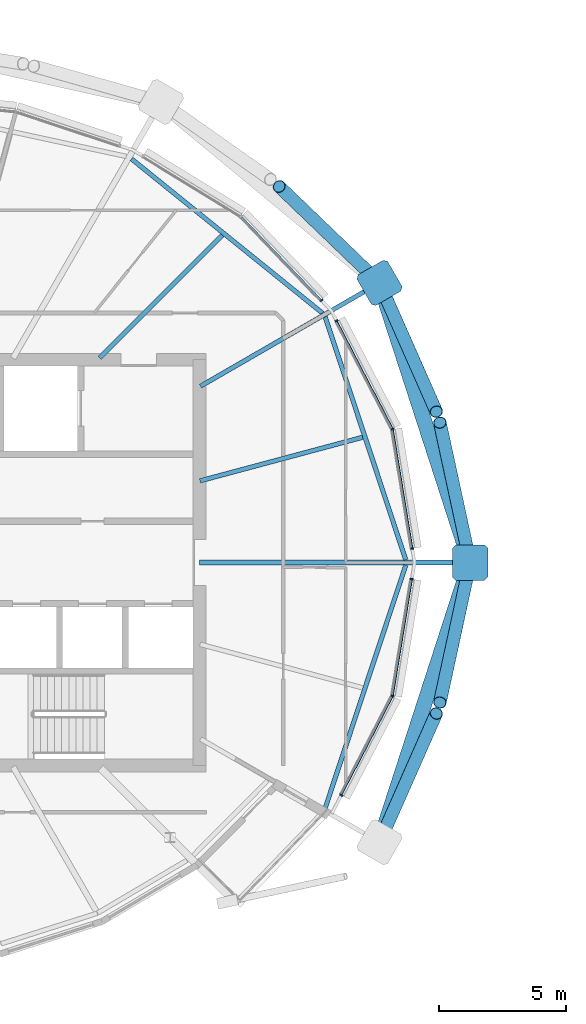
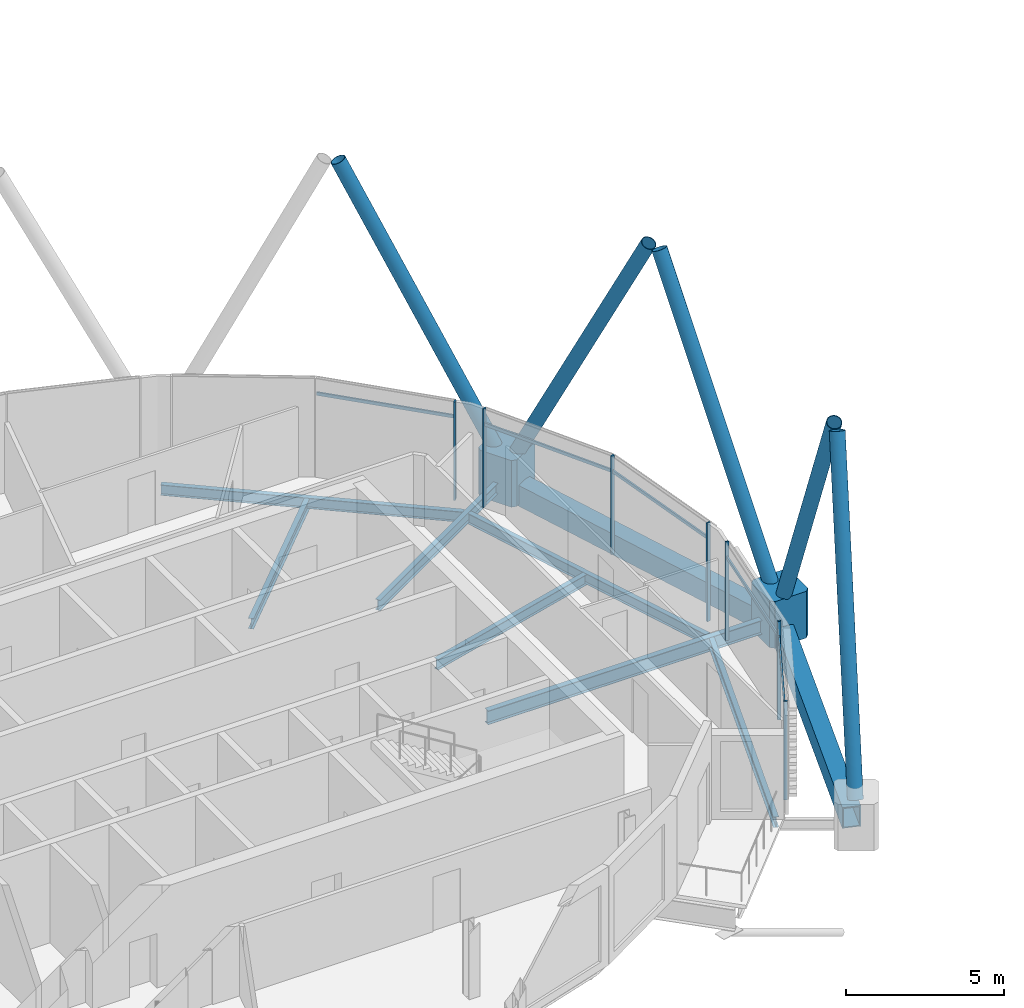
# One storey, part 7 of 32: 19 members, 9 beams, 1 element without a shape of its own.
"""IFC4 building model written with IfcOpenShell, lengths in metres."""

import ifcopenshell
import ifcopenshell.guid

model = None  # the IFC model being written
_history = None  # IfcOwnerHistory: only IFC2X3 demands one
_inside = {}  # id of a spatial element -> (the spatial element, [elements in it])
_under = {}  # id of a project, library or spatial element -> (it, [spatial elements below it])
_declared = {}  # id of a project -> (the project, [libraries it declares])
_typed = {}  # id of a type object -> (the type object, [elements of that type])
_made_of = {}  # id of a material, layer set ... -> (it, [elements and type objects made of it])


def new_model(schema):
    """Start an empty IFC model of exactly this schema.

    Asked for "IFC4X3", IfcOpenShell would pick the latest addendum, in which some entities
    have other attributes; the version numbers below select the first issue.
    IFC2X3 requires an IfcOwnerHistory on every rooted entity: one is made here for all.
    """
    global model, _history
    if schema == "IFC4X3":
        model = ifcopenshell.file(schema_version=(4, 3, 0, 0))
    else:
        model = ifcopenshell.file(schema=schema)
    _inside.clear()
    _under.clear()
    _declared.clear()
    _typed.clear()
    _made_of.clear()
    _history = None
    if model.schema == "IFC2X3":
        org = make("IfcOrganization", Name="unknown")
        user = make(
            "IfcPersonAndOrganization",
            ThePerson=make("IfcPerson", FamilyName="unknown"),
            TheOrganization=org,
        )
        app = make(
            "IfcApplication",
            ApplicationDeveloper=org,
            Version="unknown",
            ApplicationFullName="unknown",
            ApplicationIdentifier="unknown",
        )
        _history = make(
            "IfcOwnerHistory",
            OwningUser=user,
            OwningApplication=app,
            ChangeAction="ADDED",
            CreationDate=0,
        )
    return model


def make(cls, **values):
    """One entity of the class cls with the attributes given. An attribute that is None is left unset."""
    return model.create_entity(
        cls, **{name: value for name, value in values.items() if value is not None}
    )


def rooted(cls, **values):
    """An entity with a GlobalId (a new one), such as an element, a storey or a relation."""
    return make(cls, GlobalId=ifcopenshell.guid.new(), OwnerHistory=_history, **values)


def si_unit(unit_type, name, prefix=None):
    """IfcSIUnit, for example si_unit("LENGTHUNIT", "METRE", prefix="MILLI")."""
    return make("IfcSIUnit", UnitType=unit_type, Prefix=prefix, Name=name)


def assignment(units):
    """IfcUnitAssignment: the units of a project."""
    return None if units is None else make("IfcUnitAssignment", Units=units)


def point(xyz):
    """IfcCartesianPoint."""
    return None if xyz is None else make("IfcCartesianPoint", Coordinates=xyz)


def direction(xyz):
    """IfcDirection."""
    return None if xyz is None else make("IfcDirection", DirectionRatios=xyz)


def frame(location, z_axis=None, x_axis=None):
    """IfcAxis2Placement3D, a coordinate frame: its origin and axes. An axis left out is left unset."""
    return make(
        "IfcAxis2Placement3D",
        Location=point(location),
        Axis=direction(z_axis),
        RefDirection=direction(x_axis),
    )


def frame_2d(location, x_axis=None):
    """IfcAxis2Placement2D, a coordinate frame in the plane: its origin and x axis."""
    return make(
        "IfcAxis2Placement2D", Location=point(location), RefDirection=direction(x_axis)
    )


def origin():
    """The frame at (0, 0, 0) with its axes left unset."""
    return frame((0.0, 0.0, 0.0))


def origin_2d():
    """The frame at (0, 0) in the plane with its x axis left unset."""
    return frame_2d((0.0, 0.0))


def place(relative_to, where):
    """IfcLocalPlacement: puts the frame where relative to a parent placement (None: the world)."""
    return make(
        "IfcLocalPlacement", PlacementRelTo=relative_to, RelativePlacement=where
    )


def context(
    kind, dimensions, precision=None, world=None, true_north=None, identifier=None
):
    """IfcGeometricRepresentationContext, for example the 3D "Model" context."""
    return make(
        "IfcGeometricRepresentationContext",
        ContextIdentifier=identifier,
        ContextType=kind,
        CoordinateSpaceDimension=dimensions,
        Precision=precision,
        WorldCoordinateSystem=world,
        TrueNorth=true_north,
    )


def subcontext(parent, identifier, kind, view, scale=None):
    """IfcGeometricRepresentationSubContext, for example "Body" below "Model"."""
    return make(
        "IfcGeometricRepresentationSubContext",
        ContextIdentifier=identifier,
        ContextType=kind,
        ParentContext=parent,
        TargetScale=scale,
        TargetView=view,
    )


def project(units=None, contexts=None):
    """IfcProject with its units and contexts."""
    return rooted(
        "IfcProject",
        Name="project",
        RepresentationContexts=contexts,
        UnitsInContext=assignment(units),
    )


def spatial(cls, under=None, at=None, **own):
    """A site, building, storey or space (cls), placed at a placement, below another one or the project."""
    s = rooted(cls, ObjectPlacement=at, **own)
    if under is not None:
        _under.setdefault(under.id(), (under, []))[1].append(s)
    return s


def polyline(points):
    """IfcPolyline through the points."""
    return make("IfcPolyline", Points=[point(p) for p in points])


def profile(cls, at=None, kind="AREA", **sizes):
    """A parametric profile (cls). Its sizes go by their IFC names, for example OverallWidth=200.0."""
    return make(cls, ProfileType=kind, Position=at, **sizes)


def rectangle(**sizes):
    """IfcRectangleProfileDef."""
    return profile("IfcRectangleProfileDef", **sizes)


def hollow_rectangle(**sizes):
    """IfcRectangleHollowProfileDef."""
    return profile("IfcRectangleHollowProfileDef", **sizes)


def hollow_circle(**sizes):
    """IfcCircleHollowProfileDef."""
    return profile("IfcCircleHollowProfileDef", **sizes)


def i_section(**sizes):
    """IfcIShapeProfileDef."""
    return profile("IfcIShapeProfileDef", **sizes)


def outline(outer, holes=None, kind="AREA"):
    """IfcArbitraryClosedProfileDef: a profile drawn as a closed curve; with holes, ...WithVoids."""
    if holes is None:
        return make("IfcArbitraryClosedProfileDef", ProfileType=kind, OuterCurve=outer)
    return make(
        "IfcArbitraryProfileDefWithVoids",
        ProfileType=kind,
        OuterCurve=outer,
        InnerCurves=holes,
    )


def extrude(swept, where, along, depth):
    """IfcExtrudedAreaSolid: the profile swept, set in the frame where, extruded along a direction by depth."""
    return make(
        "IfcExtrudedAreaSolid",
        SweptArea=swept,
        Position=where,
        ExtrudedDirection=direction(along),
        Depth=depth,
    )


def shape(context_of_items, identifier, shape_type, items):
    """IfcShapeRepresentation: the items that make up one representation, for example the "Body"."""
    return make(
        "IfcShapeRepresentation",
        ContextOfItems=context_of_items,
        RepresentationIdentifier=identifier,
        RepresentationType=shape_type,
        Items=items,
    )


def material(Name=None, Category=None):
    """IfcMaterial."""
    return make("IfcMaterial", Name=Name, Category=Category)


def material_profile(
    of_material, cross_section, Name=None, Category=None, Priority=None
):
    """IfcMaterialProfile: a cross section and its material."""
    return make(
        "IfcMaterialProfile",
        Name=Name,
        Material=of_material,
        Profile=cross_section,
        Priority=Priority,
        Category=Category,
    )


def profile_set(profiles, Name=None, composite=None):
    """IfcMaterialProfileSet."""
    return make(
        "IfcMaterialProfileSet",
        Name=Name,
        MaterialProfiles=profiles,
        CompositeProfile=composite,
    )


def made_of(thing, what):
    """Note that an element or type object is made of a material, layer set ...; save() writes the relation."""
    if what is not None:
        _made_of.setdefault(what.id(), (what, []))[1].append(thing)
    return thing


def type_object(cls, material=None, **own):
    """A type object (cls), such as IfcWallType, which elements share."""
    return made_of(rooted(cls, **own), material)


def element(
    cls,
    number,
    at=None,
    inside=None,
    cuts=None,
    type_object=None,
    material=None,
    context=None,
    identifier="Body",
    shape_type=None,
    held_by="IfcProductDefinitionShape",
    body=None,
    shapes=None,
    **own,
):
    """One element of the class cls, such as IfcWall. Its Tag is "e" and its number.

    at: its placement. inside: the storey or other place that contains it. cuts: it is an
    opening in that element (IfcRelVoidsElement). A single representation is given by context,
    identifier, shape_type and body (its items); several are given by shapes. held_by: the class
    of the entity that holds the representations. save() writes the other relations.
    """
    e = rooted(cls, Tag="e%d" % number, ObjectPlacement=at, **own)
    if body is not None:
        shapes = [shape(context, identifier, shape_type, body)]
    if shapes is not None:
        e.Representation = make(held_by, Representations=shapes)
    if inside is not None:
        _inside.setdefault(inside.id(), (inside, []))[1].append(e)
    if cuts is not None:
        rooted(
            "IfcRelVoidsElement", RelatingBuildingElement=cuts, RelatedOpeningElement=e
        )
    if type_object is not None:
        _typed.setdefault(type_object.id(), (type_object, []))[1].append(e)
    return made_of(e, material)


def aggregate(whole, parts):
    """IfcRelAggregates: a whole, such as a stair, and the parts it consists of."""
    return rooted("IfcRelAggregates", RelatingObject=whole, RelatedObjects=parts)


def save(model, path):
    """Write the relations noted so far, then the file.

    IfcRelAggregates (storeys below a building ...), IfcRelContainedInSpatialStructure (elements
    in a storey), IfcRelDefinesByType, IfcRelAssociatesMaterial and IfcRelDeclares: one each for
    every whole, place, type object, material and project.
    """
    for whole, parts in _under.values():
        aggregate(whole, parts)
    for where, things in _inside.values():
        rooted(
            "IfcRelContainedInSpatialStructure",
            RelatedElements=things,
            RelatingStructure=where,
        )
    for kind, things in _typed.values():
        rooted("IfcRelDefinesByType", RelatedObjects=things, RelatingType=kind)
    for what, things in _made_of.values():
        rooted("IfcRelAssociatesMaterial", RelatedObjects=things, RelatingMaterial=what)
    for by, libraries in _declared.values():
        rooted("IfcRelDeclares", RelatingContext=by, RelatedDefinitions=libraries)
    model.write(path)


model = new_model("IFC4")

# Units and contexts
model_context = context("Model", 3, precision=1e-05, world=origin(), true_north=direction((0.0, 1.0)))
body_context = subcontext(model_context, "Body", "Model", "MODEL_VIEW")
ifc_project = project(units=[si_unit("LENGTHUNIT", "METRE"), si_unit("AREAUNIT", "SQUARE_METRE"), si_unit("VOLUMEUNIT", "CUBIC_METRE"), si_unit("PLANEANGLEUNIT", "RADIAN"), si_unit("MASSUNIT", "GRAM", prefix="KILO")], contexts=[model_context])

# Site, building, storey
site_placement = place(None, origin())
site = spatial("IfcSite", under=ifc_project, at=site_placement, CompositionType="ELEMENT")
building_placement = place(site_placement, origin())
building = spatial("IfcBuilding", under=site, at=building_placement, Name="Rimbun Link Towers", CompositionType="ELEMENT")
storey_placement = place(building_placement, frame((0.0, 0.0, 233.300048828125)))
storey = spatial("IfcBuildingStorey", under=building, at=storey_placement, Name="L57", CompositionType="ELEMENT", Elevation=233.300048828125)

# Curtain wall, members
ifc_material_1 = material(Name="Aluminium 6063-T6 and low-iron glass", Category="aluminium")
curtain_wall_type = type_object("IfcCurtainWallType", Name="CW1-Z4 unitised vision wall (zone 4)", PredefinedType="NOTDEFINED", material=ifc_material_1)
curtain_wall_placement = place(storey_placement, origin())
curtain_wall = element("IfcCurtainWall", 1, at=curtain_wall_placement, inside=storey, type_object=curtain_wall_type, Name="CW1 L57 T1", PredefinedType="NOTDEFINED")
ifc_material_2 = material(Name="Aluminium 6063-T6", Category="aluminium")
ifc_material_profile_1 = material_profile(ifc_material_2, rectangle(XDim=0.1201171875, YDim=0.06005859375, at=origin_2d()), Name="MULLION 60X120")
ifc_profile_set_1 = profile_set([ifc_material_profile_1], Name="Aluminium 6063-T6")
member_type_1 = type_object("IfcMemberType", Name="CW1 mullion 60X120", PredefinedType="MULLION", material=ifc_profile_set_1)
member_1_placement = place(storey_placement, frame((-12.1298828125, 5.260986328125, 0.0), z_axis=(0.0, 0.0, 1.0), x_axis=(0.949161339918, 0.314790010651, 0.0)))
member_1 = element("IfcMember", 2, at=member_1_placement, type_object=member_type_1, Name="CW1 mullion", PredefinedType="MULLION", context=body_context, shape_type="SweptSolid", body=[
    extrude(rectangle(XDim=0.1201171875, YDim=0.06005859375, at=origin_2d()), origin(), (0.0, 0.0, 1.0), 3.800048828125),
])
member_2_placement = place(storey_placement, frame((-11.354736328125, 0.552490234375, 0.0), z_axis=(0.0, 0.0, 1.0), x_axis=(0.986747736898, 0.162261836936, 0.0)))
member_2 = element("IfcMember", 3, at=member_2_placement, type_object=member_type_1, Name="CW1 mullion", PredefinedType="MULLION", context=body_context, shape_type="SweptSolid", body=[
    extrude(rectangle(XDim=0.1201171875, YDim=0.06005859375, at=origin_2d()), origin(), (0.0, 0.0, 1.0), 3.800048828125),
])
member_3_placement = place(storey_placement, frame((-14.338134765625, 9.530517578125, 0.0), z_axis=(0.0, 0.0, 1.0), x_axis=(0.888151937067, 0.459549928391, 0.0)))
member_3 = element("IfcMember", 4, at=member_3_placement, type_object=member_type_1, Name="CW1 mullion", PredefinedType="MULLION", context=body_context, shape_type="SweptSolid", body=[
    extrude(rectangle(XDim=0.1201171875, YDim=0.06005859375, at=origin_2d()), origin(), (0.0, 0.0, 1.0), 3.800048828125),
])
member_4_placement = place(storey_placement, frame((-14.935546875, 10.341064453125, 0.0), z_axis=(0.0, 0.0, 1.0), x_axis=(0.721841631662, 0.692058277025, 0.0)))
member_4 = element("IfcMember", 5, at=member_4_placement, type_object=member_type_1, Name="CW1 mullion", PredefinedType="MULLION", context=body_context, shape_type="SweptSolid", body=[
    extrude(rectangle(XDim=0.1201171875, YDim=0.06005859375, at=origin_2d()), origin(), (0.0, 0.0, 1.0), 3.800048828125),
])
member_5_placement = place(storey_placement, frame((-12.1298828125, -5.260986328125, 0.0), z_axis=(0.0, 0.0, 1.0), x_axis=(0.949161339918, -0.314790010651, 0.0)))
member_5 = element("IfcMember", 6, at=member_5_placement, type_object=member_type_1, Name="CW1 mullion", PredefinedType="MULLION", context=body_context, shape_type="SweptSolid", body=[
    extrude(rectangle(XDim=0.1201171875, YDim=0.06005859375, at=origin_2d()), origin(), (0.0, 0.0, 1.0), 3.800048828125),
])
member_6_placement = place(storey_placement, frame((-14.154296875, -9.17529296875, 0.0), z_axis=(0.0, 0.0, 1.0), x_axis=(0.888151937067, -0.459549928391, 0.0)))
member_6 = element("IfcMember", 7, at=member_6_placement, type_object=member_type_1, Name="CW1 mullion", PredefinedType="MULLION", context=body_context, shape_type="SweptSolid", body=[
    extrude(rectangle(XDim=0.1201171875, YDim=0.06005859375, at=origin_2d()), origin(), (0.0, 0.0, 1.0), 3.800048828125),
])
member_7_placement = place(storey_placement, frame((-11.37109375, -0.651123046875, 0.0), z_axis=(0.0, 0.0, 1.0), x_axis=(0.986747736898, -0.162261836936, 0.0)))
member_7 = element("IfcMember", 8, at=member_7_placement, type_object=member_type_1, Name="CW1 mullion", PredefinedType="MULLION", context=body_context, shape_type="SweptSolid", body=[
    extrude(rectangle(XDim=0.1201171875, YDim=0.06005859375, at=origin_2d()), origin(), (0.0, 0.0, 1.0), 3.800048828125),
])
ifc_material_3 = material(Name="Aluminium 6063-T6", Category="aluminium")
ifc_material_profile_2 = material_profile(ifc_material_3, rectangle(XDim=0.06005859375, YDim=0.1201171875, at=origin_2d()), Name="TRANSOM 60X120")
ifc_profile_set_2 = profile_set([ifc_material_profile_2], Name="Aluminium 6063-T6")
member_type_2 = type_object("IfcMemberType", Name="CW1 transom 60X120", PredefinedType="USERDEFINED", material=ifc_profile_set_2)
member_8_placement = place(storey_placement, frame((-12.124755859375, 5.221923828125, 3.199951171875), z_axis=(0.162293852802, -0.986742471642, 0.0), x_axis=(0.986742471642, 0.162293852802, 0.0)))
member_8 = element("IfcMember", 9, at=member_8_placement, type_object=member_type_2, Name="CW1 transom", ObjectType="TRANSOM", PredefinedType="USERDEFINED", context=body_context, shape_type="SweptSolid", body=[
    extrude(rectangle(XDim=0.06005859375, YDim=0.1201171875, at=origin_2d()), origin(), (0.0, 0.0, 1.0), 4.702392578125),
])
member_9_placement = place(storey_placement, frame((-14.326171875, 9.5029296875, 3.199951171875), z_axis=(0.459539280034, -0.888157446687, 0.0), x_axis=(0.888157446687, 0.459539280034, 0.0)))
member_9 = element("IfcMember", 10, at=member_9_placement, type_object=member_type_2, Name="CW1 transom", ObjectType="TRANSOM", PredefinedType="USERDEFINED", context=body_context, shape_type="SweptSolid", body=[
    extrude(rectangle(XDim=0.06005859375, YDim=0.1201171875, at=origin_2d()), origin(), (0.0, 0.0, 1.0), 4.7373046875),
])
member_10_placement = place(storey_placement, frame((-18.083984375, 13.6220703125, 3.199951171875), z_axis=(0.692060295755, -0.72183969622, 0.0), x_axis=(0.72183969622, 0.692060295755, 0.0)))
member_10 = element("IfcMember", 11, at=member_10_placement, type_object=member_type_2, Name="CW1 transom", ObjectType="TRANSOM", PredefinedType="USERDEFINED", context=body_context, shape_type="SweptSolid", body=[
    extrude(rectangle(XDim=0.06005859375, YDim=0.1201171875, at=origin_2d()), origin(), (0.0, 0.0, 1.0), 4.517333984375),
])
member_11_placement = place(storey_placement, frame((-12.149169921875, -5.29541015625, 3.199951171875), z_axis=(-0.459531635962, -0.888161401745, 0.0), x_axis=(0.888161401745, -0.459531635962, 0.0)))
member_11 = element("IfcMember", 12, at=member_11_placement, type_object=member_type_2, Name="CW1 transom", ObjectType="TRANSOM", PredefinedType="USERDEFINED", context=body_context, shape_type="SweptSolid", body=[
    extrude(rectangle(XDim=0.06005859375, YDim=0.1201171875, at=origin_2d()), origin(), (0.0, 0.0, 1.0), 4.33740234375),
])
member_12_placement = place(storey_placement, frame((-11.3779296875, -0.680419921875, 3.199951171875), z_axis=(-0.162265324839, -0.986747163338, 0.0), x_axis=(0.986747163338, -0.162265324839, 0.0)))
member_12 = element("IfcMember", 13, at=member_12_placement, type_object=member_type_2, Name="CW1 transom", ObjectType="TRANSOM", PredefinedType="USERDEFINED", context=body_context, shape_type="SweptSolid", body=[
    extrude(rectangle(XDim=0.06005859375, YDim=0.1201171875, at=origin_2d()), origin(), (0.0, 0.0, 1.0), 4.6025390625),
])
aggregate(curtain_wall, [member_1, member_2, member_3, member_4, member_5, member_6, member_7, member_8, member_9, member_10, member_11, member_12])

# Members
ifc_material_4 = material(Name="Steel S355J2H", Category="steel")
ifc_material_profile_3 = material_profile(ifc_material_4, hollow_circle(Radius=0.25390625, WallThickness=0.02001953125, at=origin_2d()), Name="Diagrid diagonal CHS 508x20")
ifc_profile_set_3 = profile_set([ifc_material_profile_3], Name="Steel S355J2H")
member_type_3 = type_object("IfcMemberType", Name="Diagrid diagonal CHS 508x20", PredefinedType="BRACE", material=ifc_profile_set_3)
for number, where, z_axis, x_axis, name in (
    (14, (-9.123291015625, -0.223876953125, 0.4443359375), (-0.096890857794, -0.447766657538, 0.888885359353), (0.977379685069, -0.211492201311, 0.0), "Diagrid diagonal T1 L57-L60 00a"),
    (15, (-9.123291015625, 0.223876953125, 0.4443359375), (-0.096890857794, 0.447766657538, 0.888885359353), (-0.977379685069, -0.211492201311, 0.0), "Diagrid diagonal T1 L57-L60 00b"),
):
    element("IfcMember", number, at=place(storey_placement, frame(where, z_axis=z_axis, x_axis=x_axis)), inside=storey, type_object=member_type_3, Name=name, PredefinedType="BRACE", context=body_context, shape_type="SweptSolid", body=[
        extrude(hollow_circle(Radius=0.25390625, WallThickness=0.02001953125, at=origin_2d()), origin(), (0.0, 0.0, 1.0), 11.8251953125),
    ])
member_13_placement = place(storey_placement, frame((-12.55859375, 10.82080078125, 0.446044921875), z_axis=(0.182507496072, -0.413512328143, 0.892019376668), x_axis=(0.91485603395, 0.40378018419, 0.0)))
element("IfcMember", 16, at=member_13_placement, inside=storey, type_object=member_type_3, Name="Diagrid diagonal T1 L57-L60 02a", PredefinedType="BRACE", context=body_context, shape_type="SweptSolid", body=[
    extrude(hollow_circle(Radius=0.25390625, WallThickness=0.02001953125, at=origin_2d()), origin(), (0.0, 0.0, 1.0), 11.77978515625),
])
member_14_placement = place(storey_placement, frame((-12.811279296875, 11.1826171875, 0.447021484375), z_axis=(-0.322916287318, 0.310241495782, 0.894133818665), x_axis=(-0.692812847263, -0.7211174375, 0.0)))
element("IfcMember", 17, at=member_14_placement, inside=storey, type_object=member_type_3, Name="Diagrid diagonal T1 L57-L60 02b", PredefinedType="BRACE", context=body_context, shape_type="SweptSolid", body=[
    extrude(hollow_circle(Radius=0.25390625, WallThickness=0.02001953125, at=origin_2d()), origin(), (0.0, 0.0, 1.0), 11.749755859375),
])
member_15_placement = place(storey_placement, frame((-12.55859375, -10.82080078125, 0.446044921875), z_axis=(0.182507496072, 0.413512328143, 0.892019376668), x_axis=(-0.91485603395, 0.40378018419, 0.0)))
element("IfcMember", 18, at=member_15_placement, inside=storey, type_object=member_type_3, Name="Diagrid diagonal T1 L57-L60 22b", PredefinedType="BRACE", context=body_context, shape_type="SweptSolid", body=[
    extrude(hollow_circle(Radius=0.25390625, WallThickness=0.02001953125, at=origin_2d()), origin(), (0.0, 0.0, 1.0), 11.77978515625),
])
ifc_material_5 = material(Name="Cast steel G20Mn5+QT, Rp0.2 300 MPa", Category="steel")
ifc_material_profile_4 = material_profile(ifc_material_5, outline(polyline([(0.699951171875, -0.570068359375), (0.699951171875, 0.570068359375), (0.570068359375, 0.699951171875), (-0.570068359375, 0.699951171875), (-0.699951171875, 0.570068359375), (-0.699951171875, -0.570068359375), (-0.570068359375, -0.699951171875), (0.570068359375, -0.699951171875), (0.699951171875, -0.570068359375)])), Name="NODE 1400x1400")
ifc_profile_set_4 = profile_set([ifc_material_profile_4], Name="Cast steel G20Mn5+QT, Rp0.2 300 MPa")
member_type_4 = type_object("IfcMemberType", Name="Diagrid node cast 1400", PredefinedType="USERDEFINED", material=ifc_profile_set_4)
for number, where, z_axis, x_axis, name in (
    (19, (-9.07470703125, 0.0, -0.900146484375), (0.0, 0.0, 1.0), (1.0, 0.0, 0.0), "Diagrid node L57 00"),
    (20, (-12.649658203125, 11.027587890625, -0.900146484375), (0.0, 0.0, 1.0), (0.866025403784, 0.5, 0.0), "Diagrid node L57 02"),
):
    element("IfcMember", number, at=place(storey_placement, frame(where, z_axis=z_axis, x_axis=x_axis)), inside=storey, type_object=member_type_4, Name=name, ObjectType="Diagrid node", PredefinedType="USERDEFINED", context=body_context, shape_type="SweptSolid", body=[
        extrude(outline(polyline([(0.699951171875, -0.570068359375), (0.699951171875, 0.570068359375), (0.570068359375, 0.699951171875), (-0.570068359375, 0.699951171875), (-0.699951171875, 0.570068359375), (-0.699951171875, -0.570068359375), (-0.570068359375, -0.699951171875), (0.570068359375, -0.699951171875), (0.699951171875, -0.570068359375)])), origin(), (0.0, 0.0, 1.0), 1.800048828125),
    ])

# Beams
ifc_material_6 = material(Name="Steel S355J2", Category="steel")
ifc_material_profile_5 = material_profile(ifc_material_6, hollow_rectangle(XDim=0.60009765625, YDim=0.800048828125, WallThickness=0.0400390625, at=origin_2d()), Name="Exoskeleton ring girder BOX 600x800x40")
ifc_profile_set_5 = profile_set([ifc_material_profile_5], Name="Steel S355J2")
beam_type_1 = type_object("IfcBeamType", Name="Exoskeleton ring girder BOX 600x800x40", PredefinedType="BEAM", material=ifc_profile_set_5)
for number, where, z_axis, x_axis, name in (
    (21, (-9.290771484375, 0.666015625, -0.56005859375), (-0.308369969629, 0.951266504104, 0.0), (-0.951266504104, -0.308369969629, 0.0), "Exoskeleton ring girder L57 00"),
    (22, (-12.433837890625, -10.36181640625, -0.56005859375), (0.308369969629, 0.951266504104, 0.0), (-0.951266504104, 0.308369969629, 0.0), "Exoskeleton ring girder L57 09"),
):
    element("IfcBeam", number, at=place(storey_placement, frame(where, z_axis=z_axis, x_axis=x_axis)), inside=storey, type_object=beam_type_1, Name=name, PredefinedType="BEAM", context=body_context, shape_type="SweptSolid", body=[
        extrude(hollow_rectangle(XDim=0.60009765625, YDim=0.800048828125, WallThickness=0.0400390625, at=origin_2d()), origin(), (0.0, 0.0, 1.0), 10.192626953125),
    ])
ifc_material_7 = material(Name="Steel S355J2", Category="steel")
ifc_material_profile_6 = material_profile(ifc_material_7, i_section(OverallWidth=0.177978515625, OverallDepth=0.406494140625, WebThickness=0.0078125, FlangeThickness=0.0126953125, at=origin_2d()), Name="UB 406x178x60")
ifc_profile_set_6 = profile_set([ifc_material_profile_6], Name="Steel S355J2")
beam_type_2 = type_object("IfcBeamType", Name="UB 406x178x60", PredefinedType="BEAM", material=ifc_profile_set_6)
beam_1_placement = place(storey_placement, frame((-19.72607421875, 3.2216796875, -0.34326171875), z_axis=(0.965919329481, 0.258843290303, 0.0), x_axis=(-0.258843290303, 0.965919329481, 0.0)))
element("IfcBeam", 23, at=beam_1_placement, inside=storey, type_object=beam_type_2, Name="Radial beam T1 L57 01", PredefinedType="BEAM", context=body_context, shape_type="SweptSolid", body=[
    extrude(i_section(OverallWidth=0.177978515625, OverallDepth=0.406494140625, WebThickness=0.0078125, FlangeThickness=0.0126953125, at=origin_2d()), origin(), (0.0, 0.0, 1.0), 6.64013671875),
])
beam_2_placement = place(storey_placement, frame((-19.70458984375, 6.954345703125, -0.34326171875), z_axis=(0.866018094706, 0.500012659481, 0.0), x_axis=(-0.500012659481, 0.866018094706, 0.0)))
element("IfcBeam", 24, at=beam_2_placement, inside=storey, type_object=beam_type_2, Name="Radial beam T1 L57 02", PredefinedType="BEAM", context=body_context, shape_type="SweptSolid", body=[
    extrude(i_section(OverallWidth=0.177978515625, OverallDepth=0.406494140625, WebThickness=0.0078125, FlangeThickness=0.0126953125, at=origin_2d()), origin(), (0.0, 0.0, 1.0), 7.646240234375),
])
beam_3_placement = place(storey_placement, frame((-23.686279296875, 8.063720703125, -0.34326171875), z_axis=(0.707106781187, 0.707106781187, 0.0), x_axis=(-0.707106781187, 0.707106781187, 0.0)))
element("IfcBeam", 25, at=beam_3_placement, inside=storey, type_object=beam_type_2, Name="Radial beam T1 L57 03", PredefinedType="BEAM", context=body_context, shape_type="SweptSolid", body=[
    extrude(i_section(OverallWidth=0.177978515625, OverallDepth=0.406494140625, WebThickness=0.0078125, FlangeThickness=0.0126953125, at=origin_2d()), origin(), (0.0, 0.0, 1.0), 6.84814453125),
])
beam_4_placement = place(storey_placement, frame((-11.61328125, 0.105712890625, -0.34326171875), z_axis=(-0.314914211997, 0.949120139436, 0.0), x_axis=(-0.949120139436, -0.314914211997, 0.0)))
element("IfcBeam", 26, at=beam_4_placement, inside=storey, type_object=beam_type_2, Name="Edge beam T1 L57 00-02", PredefinedType="BEAM", context=body_context, shape_type="SweptSolid", body=[
    extrude(i_section(OverallWidth=0.177978515625, OverallDepth=0.406494140625, WebThickness=0.0078125, FlangeThickness=0.0126953125, at=origin_2d()), origin(), (0.0, 0.0, 1.0), 10.0947265625),
])
beam_5_placement = place(storey_placement, frame((-14.89599609375, 9.83447265625, -0.34326171875), z_axis=(-0.778073442761, 0.628173318178, 0.0), x_axis=(-0.628173318178, -0.778073442761, 0.0)))
element("IfcBeam", 27, at=beam_5_placement, inside=storey, type_object=beam_type_2, Name="Edge beam T1 L57 02-04", PredefinedType="BEAM", context=body_context, shape_type="SweptSolid", body=[
    extrude(i_section(OverallWidth=0.177978515625, OverallDepth=0.406494140625, WebThickness=0.0078125, FlangeThickness=0.0126953125, at=origin_2d()), origin(), (0.0, 0.0, 1.0), 9.680908203125),
])
beam_6_placement = place(storey_placement, frame((-14.792236328125, -9.686767578125, -0.34326171875), z_axis=(0.314914211997, 0.949120139436, 0.0), x_axis=(-0.949120139436, 0.314914211997, 0.0)))
element("IfcBeam", 28, at=beam_6_placement, inside=storey, type_object=beam_type_2, Name="Edge beam T1 L57 22-00", PredefinedType="BEAM", context=body_context, shape_type="SweptSolid", body=[
    extrude(i_section(OverallWidth=0.177978515625, OverallDepth=0.406494140625, WebThickness=0.0078125, FlangeThickness=0.0126953125, at=origin_2d()), origin(), (0.0, 0.0, 1.0), 10.0947265625),
])
ifc_material_8 = material(Name="Steel S355J2", Category="steel")
ifc_material_profile_7 = material_profile(ifc_material_8, i_section(OverallWidth=0.209228515625, OverallDepth=0.533203125, WebThickness=0.010009765625, FlangeThickness=0.015625, at=origin_2d()), Name="UB 533x210x92")
ifc_profile_set_7 = profile_set([ifc_material_profile_7], Name="Steel S355J2")
beam_type_3 = type_object("IfcBeamType", Name="UB 533x210x92", PredefinedType="BEAM", material=ifc_profile_set_7)
beam_7_placement = place(storey_placement, frame((-19.7490234375, 0.0, -0.406494140625), z_axis=(1.0, 0.0, 0.0), x_axis=(0.0, 1.0, 0.0)))
element("IfcBeam", 29, at=beam_7_placement, inside=storey, type_object=beam_type_3, Name="Radial beam T1 L57 00", PredefinedType="BEAM", context=body_context, shape_type="SweptSolid", body=[
    extrude(i_section(OverallWidth=0.209228515625, OverallDepth=0.533203125, WebThickness=0.010009765625, FlangeThickness=0.015625, at=origin_2d()), origin(), (0.0, 0.0, 1.0), 10.17431640625),
])

save(model, "model.ifc")
